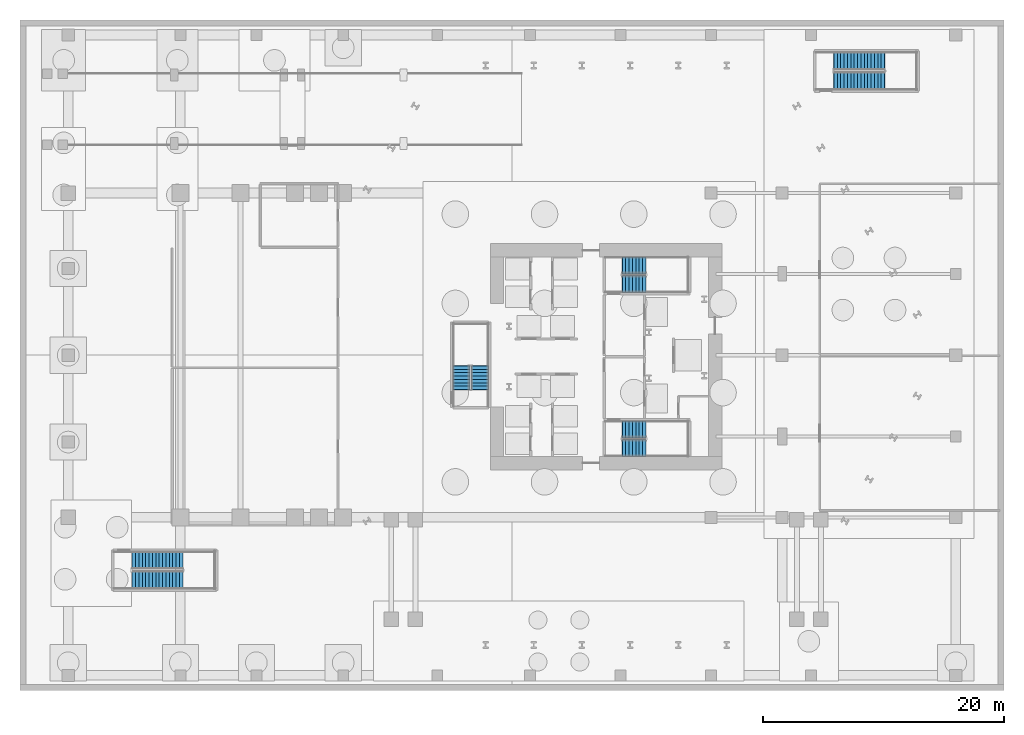
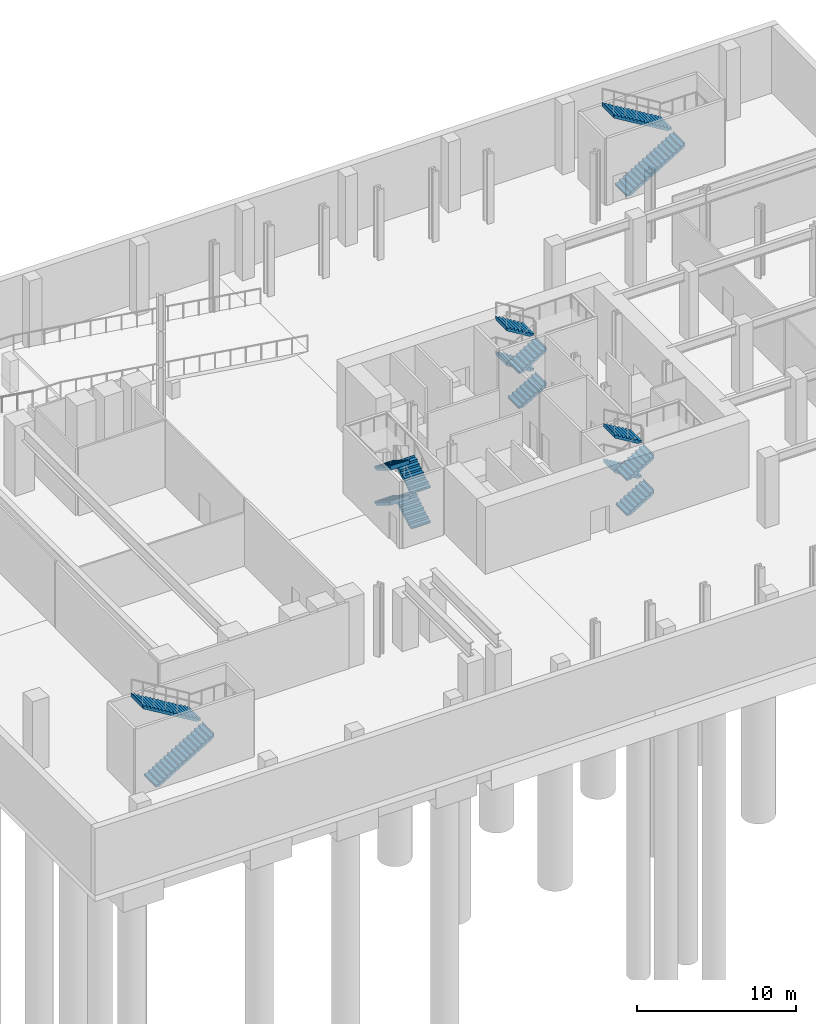
# One storey, part 9 of 16: 16 stair flights, 5 elements without a shape of their own.
"""IFC4 building model written with IfcOpenShell, lengths in metres."""

from ifc_helpers import new_model, si_unit, direction, frame, origin, place, context, subcontext, project, spatial, polyline, outline, extrude, material, type_object, element, aggregate, save


model = new_model("IFC4")

# Units and contexts
model_context = context("Model", 3, precision=1e-05, world=origin(), true_north=direction((0.0, 1.0)))
body_context = subcontext(model_context, "Body", "Model", "MODEL_VIEW")
ifc_project = project(units=[si_unit("LENGTHUNIT", "METRE"), si_unit("AREAUNIT", "SQUARE_METRE"), si_unit("VOLUMEUNIT", "CUBIC_METRE"), si_unit("PLANEANGLEUNIT", "RADIAN"), si_unit("MASSUNIT", "GRAM", prefix="KILO")], contexts=[model_context])

# Site, building, storey
site_placement = place(None, origin())
site = spatial("IfcSite", under=ifc_project, at=site_placement, CompositionType="ELEMENT")
building_placement = place(site_placement, origin())
building = spatial("IfcBuilding", under=site, at=building_placement, Name="Valkerne Bourse Tower", CompositionType="ELEMENT")
storey_placement = place(building_placement, frame((0.0, 0.0, -5.39990234375)))
storey = spatial("IfcBuildingStorey", under=building, at=storey_placement, Name="B1", CompositionType="ELEMENT", Elevation=-5.39990234375)

# Stair, stair flights
ifc_material = material(Name="Concrete C40/50", Category="concrete")
stair_type_1 = type_object("IfcStairType", Name="ST-CORE-1400", PredefinedType="HALF_TURN_STAIR", material=ifc_material)
stair_1_placement = place(storey_placement, origin())
stair_1 = element("IfcStair", 1, at=stair_1_placement, inside=storey, type_object=stair_type_1, Name="B1 ST-1", PredefinedType="HALF_TURN_STAIR")
stair_flight_type_1 = type_object("IfcStairFlightType", Name="STF-CORE-1400", PredefinedType="STRAIGHT", material=ifc_material)
stair_flight_1_placement = place(storey_placement, frame((48.14990234375, 19.300048828125, 0.0), z_axis=(0.0, 0.0, 1.0), x_axis=(1.0, 0.0, 0.0)))
stair_flight_1 = element("IfcStairFlight", 2, at=stair_flight_1_placement, type_object=stair_flight_type_1, Name="ST-1 flight 1", NumberOfRisers=8, NumberOfTreads=7, PredefinedType="STRAIGHT", RiserHeight=0.16875, TreadLength=0.28, context=body_context, shape_type="SweptSolid", body=[
    extrude(outline(polyline([(-0.02001953125, 0.0), (-0.02001953125, 0.044921875), (0.0, 0.044921875), (0.0, 0.168701171875), (0.280029296875, 0.168701171875), (0.280029296875, 0.33740234375), (0.56005859375, 0.33740234375), (0.56005859375, 0.50634765625), (0.840087890625, 0.50634765625), (0.840087890625, 0.675048828125), (1.1201171875, 0.675048828125), (1.1201171875, 0.84375), (1.39990234375, 0.84375), (1.39990234375, 1.012451171875), (1.679931640625, 1.012451171875), (1.679931640625, 1.18115234375), (1.9599609375, 1.18115234375), (1.9599609375, 1.35009765625), (1.97998046875, 1.35009765625), (1.97998046875, 1.22998046875), (1.9599609375, 1.00634765625), (0.29052734375, 0.0), (-0.02001953125, 0.0)])), frame((0.0, 0.699951171875, 0.0), z_axis=(0.0, -1.0, 0.0), x_axis=(1.0, 0.0, 0.0)), (0.0, 0.0, 1.0), 1.39990234375),
])
stair_flight_2_placement = place(storey_placement, frame((50.110107421875, 20.85009765625, 1.349853515625), z_axis=(0.0, 0.0, 1.0), x_axis=(-1.0, 0.0, 0.0)))
stair_flight_2 = element("IfcStairFlight", 3, at=stair_flight_2_placement, type_object=stair_flight_type_1, Name="ST-1 flight 2", NumberOfRisers=8, NumberOfTreads=7, PredefinedType="STRAIGHT", RiserHeight=0.16875, TreadLength=0.28, context=body_context, shape_type="SweptSolid", body=[
    extrude(outline(polyline([(-0.02001953125, 0.0), (-0.02001953125, 0.044921875), (0.0, 0.044921875), (0.0, 0.168701171875), (0.280029296875, 0.168701171875), (0.280029296875, 0.33740234375), (0.56005859375, 0.33740234375), (0.56005859375, 0.50634765625), (0.840087890625, 0.50634765625), (0.840087890625, 0.675048828125), (1.1201171875, 0.675048828125), (1.1201171875, 0.84375), (1.39990234375, 0.84375), (1.39990234375, 1.012451171875), (1.679931640625, 1.012451171875), (1.679931640625, 1.18115234375), (1.9599609375, 1.18115234375), (1.9599609375, 1.35009765625), (1.97998046875, 1.35009765625), (1.97998046875, 1.22998046875), (1.9599609375, 1.00634765625), (0.29052734375, 0.0), (-0.02001953125, 0.0)])), frame((0.0, 0.699951171875, 0.0), z_axis=(0.0, -1.0, 0.0), x_axis=(1.0, 0.0, 0.0)), (0.0, 0.0, 1.0), 1.39990234375),
])
stair_flight_3_placement = place(storey_placement, frame((48.14990234375, 19.300048828125, 2.699951171875), z_axis=(0.0, 0.0, 1.0), x_axis=(1.0, 0.0, 0.0)))
stair_flight_3 = element("IfcStairFlight", 4, at=stair_flight_3_placement, type_object=stair_flight_type_1, Name="ST-1 flight 3", NumberOfRisers=8, NumberOfTreads=7, PredefinedType="STRAIGHT", RiserHeight=0.16875, TreadLength=0.28, context=body_context, shape_type="SweptSolid", body=[
    extrude(outline(polyline([(-0.02001953125, 0.0), (-0.02001953125, 0.044921875), (0.0, 0.044921875), (0.0, 0.168701171875), (0.280029296875, 0.168701171875), (0.280029296875, 0.33740234375), (0.56005859375, 0.33740234375), (0.56005859375, 0.50634765625), (0.840087890625, 0.50634765625), (0.840087890625, 0.675048828125), (1.1201171875, 0.675048828125), (1.1201171875, 0.84375), (1.39990234375, 0.84375), (1.39990234375, 1.012451171875), (1.679931640625, 1.012451171875), (1.679931640625, 1.18115234375), (1.9599609375, 1.18115234375), (1.9599609375, 1.35009765625), (1.97998046875, 1.35009765625), (1.97998046875, 1.22998046875), (1.9599609375, 1.00634765625), (0.29052734375, 0.0), (-0.02001953125, 0.0)])), frame((0.0, 0.699951171875, 0.0), z_axis=(0.0, -1.0, 0.0), x_axis=(1.0, 0.0, 0.0)), (0.0, 0.0, 1.0), 1.39990234375),
])
stair_flight_4_placement = place(storey_placement, frame((50.110107421875, 20.85009765625, 4.0498046875), z_axis=(0.0, 0.0, 1.0), x_axis=(-1.0, 0.0, 0.0)))
stair_flight_4 = element("IfcStairFlight", 5, at=stair_flight_4_placement, type_object=stair_flight_type_1, Name="ST-1 flight 4", NumberOfRisers=8, NumberOfTreads=7, PredefinedType="STRAIGHT", RiserHeight=0.16875, TreadLength=0.28, context=body_context, shape_type="SweptSolid", body=[
    extrude(outline(polyline([(-0.02001953125, 0.0), (-0.02001953125, 0.044921875), (0.0, 0.044921875), (0.0, 0.168701171875), (0.280029296875, 0.168701171875), (0.280029296875, 0.33740234375), (0.56005859375, 0.33740234375), (0.56005859375, 0.50634765625), (0.840087890625, 0.50634765625), (0.840087890625, 0.675048828125), (1.1201171875, 0.675048828125), (1.1201171875, 0.84375), (1.39990234375, 0.84375), (1.39990234375, 1.012451171875), (1.679931640625, 1.012451171875), (1.679931640625, 1.18115234375), (1.9599609375, 1.18115234375), (1.9599609375, 1.35009765625), (1.97998046875, 1.35009765625), (1.97998046875, 1.22998046875), (1.9599609375, 1.00634765625), (0.29052734375, 0.0), (-0.02001953125, 0.0)])), frame((0.0, 0.699951171875, 0.0), z_axis=(0.0, -1.0, 0.0), x_axis=(1.0, 0.0, 0.0)), (0.0, 0.0, 1.0), 1.39990234375),
])
aggregate(stair_1, [stair_flight_1, stair_flight_2, stair_flight_3, stair_flight_4])

stair_2_placement = place(storey_placement, origin())
stair_2 = element("IfcStair", 6, at=stair_2_placement, inside=storey, type_object=stair_type_1, Name="B1 ST-2", PredefinedType="HALF_TURN_STAIR")
stair_flight_5_placement = place(storey_placement, frame((48.14990234375, 32.89990234375, 0.0), z_axis=(0.0, 0.0, 1.0), x_axis=(1.0, 0.0, 0.0)))
stair_flight_5 = element("IfcStairFlight", 7, at=stair_flight_5_placement, type_object=stair_flight_type_1, Name="ST-2 flight 1", NumberOfRisers=8, NumberOfTreads=7, PredefinedType="STRAIGHT", RiserHeight=0.16875, TreadLength=0.28, context=body_context, shape_type="SweptSolid", body=[
    extrude(outline(polyline([(-0.02001953125, 0.0), (-0.02001953125, 0.044921875), (0.0, 0.044921875), (0.0, 0.168701171875), (0.280029296875, 0.168701171875), (0.280029296875, 0.33740234375), (0.56005859375, 0.33740234375), (0.56005859375, 0.50634765625), (0.840087890625, 0.50634765625), (0.840087890625, 0.675048828125), (1.1201171875, 0.675048828125), (1.1201171875, 0.84375), (1.39990234375, 0.84375), (1.39990234375, 1.012451171875), (1.679931640625, 1.012451171875), (1.679931640625, 1.18115234375), (1.9599609375, 1.18115234375), (1.9599609375, 1.35009765625), (1.97998046875, 1.35009765625), (1.97998046875, 1.22998046875), (1.9599609375, 1.00634765625), (0.29052734375, 0.0), (-0.02001953125, 0.0)])), frame((0.0, 0.699951171875, 0.0), z_axis=(0.0, -1.0, 0.0), x_axis=(1.0, 0.0, 0.0)), (0.0, 0.0, 1.0), 1.39990234375),
])
stair_flight_6_placement = place(storey_placement, frame((50.110107421875, 34.449951171875, 1.349853515625), z_axis=(0.0, 0.0, 1.0), x_axis=(-1.0, 0.0, 0.0)))
stair_flight_6 = element("IfcStairFlight", 8, at=stair_flight_6_placement, type_object=stair_flight_type_1, Name="ST-2 flight 2", NumberOfRisers=8, NumberOfTreads=7, PredefinedType="STRAIGHT", RiserHeight=0.16875, TreadLength=0.28, context=body_context, shape_type="SweptSolid", body=[
    extrude(outline(polyline([(-0.02001953125, 0.0), (-0.02001953125, 0.044921875), (0.0, 0.044921875), (0.0, 0.168701171875), (0.280029296875, 0.168701171875), (0.280029296875, 0.33740234375), (0.56005859375, 0.33740234375), (0.56005859375, 0.50634765625), (0.840087890625, 0.50634765625), (0.840087890625, 0.675048828125), (1.1201171875, 0.675048828125), (1.1201171875, 0.84375), (1.39990234375, 0.84375), (1.39990234375, 1.012451171875), (1.679931640625, 1.012451171875), (1.679931640625, 1.18115234375), (1.9599609375, 1.18115234375), (1.9599609375, 1.35009765625), (1.97998046875, 1.35009765625), (1.97998046875, 1.22998046875), (1.9599609375, 1.00634765625), (0.29052734375, 0.0), (-0.02001953125, 0.0)])), frame((0.0, 0.699951171875, 0.0), z_axis=(0.0, -1.0, 0.0), x_axis=(1.0, 0.0, 0.0)), (0.0, 0.0, 1.0), 1.39990234375),
])
stair_flight_7_placement = place(storey_placement, frame((48.14990234375, 32.89990234375, 2.699951171875), z_axis=(0.0, 0.0, 1.0), x_axis=(1.0, 0.0, 0.0)))
stair_flight_7 = element("IfcStairFlight", 9, at=stair_flight_7_placement, type_object=stair_flight_type_1, Name="ST-2 flight 3", NumberOfRisers=8, NumberOfTreads=7, PredefinedType="STRAIGHT", RiserHeight=0.16875, TreadLength=0.28, context=body_context, shape_type="SweptSolid", body=[
    extrude(outline(polyline([(-0.02001953125, 0.0), (-0.02001953125, 0.044921875), (0.0, 0.044921875), (0.0, 0.168701171875), (0.280029296875, 0.168701171875), (0.280029296875, 0.33740234375), (0.56005859375, 0.33740234375), (0.56005859375, 0.50634765625), (0.840087890625, 0.50634765625), (0.840087890625, 0.675048828125), (1.1201171875, 0.675048828125), (1.1201171875, 0.84375), (1.39990234375, 0.84375), (1.39990234375, 1.012451171875), (1.679931640625, 1.012451171875), (1.679931640625, 1.18115234375), (1.9599609375, 1.18115234375), (1.9599609375, 1.35009765625), (1.97998046875, 1.35009765625), (1.97998046875, 1.22998046875), (1.9599609375, 1.00634765625), (0.29052734375, 0.0), (-0.02001953125, 0.0)])), frame((0.0, 0.699951171875, 0.0), z_axis=(0.0, -1.0, 0.0), x_axis=(1.0, 0.0, 0.0)), (0.0, 0.0, 1.0), 1.39990234375),
])
stair_flight_8_placement = place(storey_placement, frame((50.110107421875, 34.449951171875, 4.0498046875), z_axis=(0.0, 0.0, 1.0), x_axis=(-1.0, 0.0, 0.0)))
stair_flight_8 = element("IfcStairFlight", 10, at=stair_flight_8_placement, type_object=stair_flight_type_1, Name="ST-2 flight 4", NumberOfRisers=8, NumberOfTreads=7, PredefinedType="STRAIGHT", RiserHeight=0.16875, TreadLength=0.28, context=body_context, shape_type="SweptSolid", body=[
    extrude(outline(polyline([(-0.02001953125, 0.0), (-0.02001953125, 0.044921875), (0.0, 0.044921875), (0.0, 0.168701171875), (0.280029296875, 0.168701171875), (0.280029296875, 0.33740234375), (0.56005859375, 0.33740234375), (0.56005859375, 0.50634765625), (0.840087890625, 0.50634765625), (0.840087890625, 0.675048828125), (1.1201171875, 0.675048828125), (1.1201171875, 0.84375), (1.39990234375, 0.84375), (1.39990234375, 1.012451171875), (1.679931640625, 1.012451171875), (1.679931640625, 1.18115234375), (1.9599609375, 1.18115234375), (1.9599609375, 1.35009765625), (1.97998046875, 1.35009765625), (1.97998046875, 1.22998046875), (1.9599609375, 1.00634765625), (0.29052734375, 0.0), (-0.02001953125, 0.0)])), frame((0.0, 0.699951171875, 0.0), z_axis=(0.0, -1.0, 0.0), x_axis=(1.0, 0.0, 0.0)), (0.0, 0.0, 1.0), 1.39990234375),
])
aggregate(stair_2, [stair_flight_5, stair_flight_6, stair_flight_7, stair_flight_8])

stair_3_placement = place(storey_placement, origin())
stair_3 = element("IfcStair", 11, at=stair_3_placement, inside=storey, type_object=stair_type_1, Name="B1 ST-3", PredefinedType="HALF_TURN_STAIR")
stair_flight_9_placement = place(storey_placement, frame((36.35009765625, 24.14990234375, 0.0), z_axis=(0.0, 0.0, 1.0), x_axis=(0.0, 1.0, 0.0)))
stair_flight_9 = element("IfcStairFlight", 12, at=stair_flight_9_placement, type_object=stair_flight_type_1, Name="ST-3 flight 1", NumberOfRisers=8, NumberOfTreads=7, PredefinedType="STRAIGHT", RiserHeight=0.16875, TreadLength=0.28, context=body_context, shape_type="SweptSolid", body=[
    extrude(outline(polyline([(-0.02001953125, 0.0), (-0.02001953125, 0.044921875), (0.0, 0.044921875), (0.0, 0.168701171875), (0.280029296875, 0.168701171875), (0.280029296875, 0.33740234375), (0.56005859375, 0.33740234375), (0.56005859375, 0.50634765625), (0.840087890625, 0.50634765625), (0.840087890625, 0.675048828125), (1.1201171875, 0.675048828125), (1.1201171875, 0.84375), (1.39990234375, 0.84375), (1.39990234375, 1.012451171875), (1.679931640625, 1.012451171875), (1.679931640625, 1.18115234375), (1.9599609375, 1.18115234375), (1.9599609375, 1.35009765625), (1.97998046875, 1.35009765625), (1.97998046875, 1.22998046875), (1.9599609375, 1.00634765625), (0.29052734375, 0.0), (-0.02001953125, 0.0)])), frame((0.0, 0.699951171875, 0.0), z_axis=(0.0, -1.0, 0.0), x_axis=(1.0, 0.0, 0.0)), (0.0, 0.0, 1.0), 1.39990234375),
])
stair_flight_10_placement = place(storey_placement, frame((34.800048828125, 26.110107421875, 1.349853515625), z_axis=(0.0, 0.0, 1.0), x_axis=(0.0, -1.0, 0.0)))
stair_flight_10 = element("IfcStairFlight", 13, at=stair_flight_10_placement, type_object=stair_flight_type_1, Name="ST-3 flight 2", NumberOfRisers=8, NumberOfTreads=7, PredefinedType="STRAIGHT", RiserHeight=0.16875, TreadLength=0.28, context=body_context, shape_type="SweptSolid", body=[
    extrude(outline(polyline([(-0.02001953125, 0.0), (-0.02001953125, 0.044921875), (0.0, 0.044921875), (0.0, 0.168701171875), (0.280029296875, 0.168701171875), (0.280029296875, 0.33740234375), (0.56005859375, 0.33740234375), (0.56005859375, 0.50634765625), (0.840087890625, 0.50634765625), (0.840087890625, 0.675048828125), (1.1201171875, 0.675048828125), (1.1201171875, 0.84375), (1.39990234375, 0.84375), (1.39990234375, 1.012451171875), (1.679931640625, 1.012451171875), (1.679931640625, 1.18115234375), (1.9599609375, 1.18115234375), (1.9599609375, 1.35009765625), (1.97998046875, 1.35009765625), (1.97998046875, 1.22998046875), (1.9599609375, 1.00634765625), (0.29052734375, 0.0), (-0.02001953125, 0.0)])), frame((0.0, 0.699951171875, 0.0), z_axis=(0.0, -1.0, 0.0), x_axis=(1.0, 0.0, 0.0)), (0.0, 0.0, 1.0), 1.39990234375),
])
stair_flight_11_placement = place(storey_placement, frame((36.35009765625, 24.14990234375, 2.699951171875), z_axis=(0.0, 0.0, 1.0), x_axis=(0.0, 1.0, 0.0)))
stair_flight_11 = element("IfcStairFlight", 14, at=stair_flight_11_placement, type_object=stair_flight_type_1, Name="ST-3 flight 3", NumberOfRisers=8, NumberOfTreads=7, PredefinedType="STRAIGHT", RiserHeight=0.16875, TreadLength=0.28, context=body_context, shape_type="SweptSolid", body=[
    extrude(outline(polyline([(-0.02001953125, 0.0), (-0.02001953125, 0.044921875), (0.0, 0.044921875), (0.0, 0.168701171875), (0.280029296875, 0.168701171875), (0.280029296875, 0.33740234375), (0.56005859375, 0.33740234375), (0.56005859375, 0.50634765625), (0.840087890625, 0.50634765625), (0.840087890625, 0.675048828125), (1.1201171875, 0.675048828125), (1.1201171875, 0.84375), (1.39990234375, 0.84375), (1.39990234375, 1.012451171875), (1.679931640625, 1.012451171875), (1.679931640625, 1.18115234375), (1.9599609375, 1.18115234375), (1.9599609375, 1.35009765625), (1.97998046875, 1.35009765625), (1.97998046875, 1.22998046875), (1.9599609375, 1.00634765625), (0.29052734375, 0.0), (-0.02001953125, 0.0)])), frame((0.0, 0.699951171875, 0.0), z_axis=(0.0, -1.0, 0.0), x_axis=(1.0, 0.0, 0.0)), (0.0, 0.0, 1.0), 1.39990234375),
])
stair_flight_12_placement = place(storey_placement, frame((34.800048828125, 26.110107421875, 4.0498046875), z_axis=(0.0, 0.0, 1.0), x_axis=(0.0, -1.0, 0.0)))
stair_flight_12 = element("IfcStairFlight", 15, at=stair_flight_12_placement, type_object=stair_flight_type_1, Name="ST-3 flight 4", NumberOfRisers=8, NumberOfTreads=7, PredefinedType="STRAIGHT", RiserHeight=0.16875, TreadLength=0.28, context=body_context, shape_type="SweptSolid", body=[
    extrude(outline(polyline([(-0.02001953125, 0.0), (-0.02001953125, 0.044921875), (0.0, 0.044921875), (0.0, 0.168701171875), (0.280029296875, 0.168701171875), (0.280029296875, 0.33740234375), (0.56005859375, 0.33740234375), (0.56005859375, 0.50634765625), (0.840087890625, 0.50634765625), (0.840087890625, 0.675048828125), (1.1201171875, 0.675048828125), (1.1201171875, 0.84375), (1.39990234375, 0.84375), (1.39990234375, 1.012451171875), (1.679931640625, 1.012451171875), (1.679931640625, 1.18115234375), (1.9599609375, 1.18115234375), (1.9599609375, 1.35009765625), (1.97998046875, 1.35009765625), (1.97998046875, 1.22998046875), (1.9599609375, 1.00634765625), (0.29052734375, 0.0), (-0.02001953125, 0.0)])), frame((0.0, 0.699951171875, 0.0), z_axis=(0.0, -1.0, 0.0), x_axis=(1.0, 0.0, 0.0)), (0.0, 0.0, 1.0), 1.39990234375),
])
aggregate(stair_3, [stair_flight_9, stair_flight_10, stair_flight_11, stair_flight_12])

stair_type_2 = type_object("IfcStairType", Name="ST-POD-1500", PredefinedType="HALF_TURN_STAIR", material=ifc_material)
stair_4_placement = place(storey_placement, origin())
stair_4 = element("IfcStair", 16, at=stair_4_placement, inside=storey, type_object=stair_type_2, Name="B1 ST-P1", PredefinedType="HALF_TURN_STAIR")
stair_flight_type_2 = type_object("IfcStairFlightType", Name="STF-POD-1500", PredefinedType="STRAIGHT", material=ifc_material)
stair_flight_13_placement = place(storey_placement, frame((7.5, 8.35009765625, 0.0), z_axis=(0.0, 0.0, 1.0), x_axis=(1.0, 0.0, 0.0)))
stair_flight_13 = element("IfcStairFlight", 17, at=stair_flight_13_placement, type_object=stair_flight_type_2, Name="ST-P1 flight 1", NumberOfRisers=16, NumberOfTreads=15, PredefinedType="STRAIGHT", RiserHeight=0.16875, TreadLength=0.28, context=body_context, shape_type="SweptSolid", body=[
    extrude(outline(polyline([(-0.02001953125, 0.0), (-0.02001953125, 0.044921875), (0.0, 0.044921875), (0.0, 0.168701171875), (0.280029296875, 0.168701171875), (0.280029296875, 0.33740234375), (0.56005859375, 0.33740234375), (0.56005859375, 0.50634765625), (0.840087890625, 0.50634765625), (0.840087890625, 0.675048828125), (1.1201171875, 0.675048828125), (1.1201171875, 0.84375), (1.39990234375, 0.84375), (1.39990234375, 1.012451171875), (1.679931640625, 1.012451171875), (1.679931640625, 1.18115234375), (1.9599609375, 1.18115234375), (1.9599609375, 1.35009765625), (2.239990234375, 1.35009765625), (2.239990234375, 1.518798828125), (2.52001953125, 1.518798828125), (2.52001953125, 1.6875), (2.800048828125, 1.6875), (2.800048828125, 1.856201171875), (3.080078125, 1.856201171875), (3.080078125, 2.02490234375), (3.360107421875, 2.02490234375), (3.360107421875, 2.19384765625), (3.639892578125, 2.19384765625), (3.639892578125, 2.362548828125), (3.919921875, 2.362548828125), (3.919921875, 2.53125), (4.199951171875, 2.53125), (4.199951171875, 2.699951171875), (4.219970703125, 2.699951171875), (4.219970703125, 2.580078125), (4.199951171875, 2.356201171875), (0.29052734375, 0.0), (-0.02001953125, 0.0)])), frame((0.0, 0.75, 0.0), z_axis=(0.0, -1.0, 0.0), x_axis=(1.0, 0.0, 0.0)), (0.0, 0.0, 1.0), 1.5),
])
stair_flight_14_placement = place(storey_placement, frame((11.699951171875, 10.0, 2.699951171875), z_axis=(0.0, 0.0, 1.0), x_axis=(-1.0, 0.0, 0.0)))
stair_flight_14 = element("IfcStairFlight", 18, at=stair_flight_14_placement, type_object=stair_flight_type_2, Name="ST-P1 flight 2", NumberOfRisers=16, NumberOfTreads=15, PredefinedType="STRAIGHT", RiserHeight=0.16875, TreadLength=0.28, context=body_context, shape_type="SweptSolid", body=[
    extrude(outline(polyline([(-0.02001953125, 0.0), (-0.02001953125, 0.044921875), (0.0, 0.044921875), (0.0, 0.168701171875), (0.280029296875, 0.168701171875), (0.280029296875, 0.33740234375), (0.56005859375, 0.33740234375), (0.56005859375, 0.50634765625), (0.840087890625, 0.50634765625), (0.840087890625, 0.675048828125), (1.1201171875, 0.675048828125), (1.1201171875, 0.84375), (1.39990234375, 0.84375), (1.39990234375, 1.012451171875), (1.679931640625, 1.012451171875), (1.679931640625, 1.18115234375), (1.9599609375, 1.18115234375), (1.9599609375, 1.35009765625), (2.239990234375, 1.35009765625), (2.239990234375, 1.518798828125), (2.52001953125, 1.518798828125), (2.52001953125, 1.6875), (2.800048828125, 1.6875), (2.800048828125, 1.856201171875), (3.080078125, 1.856201171875), (3.080078125, 2.02490234375), (3.360107421875, 2.02490234375), (3.360107421875, 2.19384765625), (3.639892578125, 2.19384765625), (3.639892578125, 2.362548828125), (3.919921875, 2.362548828125), (3.919921875, 2.53125), (4.199951171875, 2.53125), (4.199951171875, 2.699951171875), (4.219970703125, 2.699951171875), (4.219970703125, 2.580078125), (4.199951171875, 2.356201171875), (0.29052734375, 0.0), (-0.02001953125, 0.0)])), frame((0.0, 0.75, 0.0), z_axis=(0.0, -1.0, 0.0), x_axis=(1.0, 0.0, 0.0)), (0.0, 0.0, 1.0), 1.5),
])
aggregate(stair_4, [stair_flight_13, stair_flight_14])

stair_5_placement = place(storey_placement, origin())
stair_5 = element("IfcStair", 19, at=stair_5_placement, inside=storey, type_object=stair_type_2, Name="B1 ST-P2", PredefinedType="HALF_TURN_STAIR")
stair_flight_15_placement = place(storey_placement, frame((65.699951171875, 49.75, 0.0), z_axis=(0.0, 0.0, 1.0), x_axis=(1.0, 0.0, 0.0)))
stair_flight_15 = element("IfcStairFlight", 20, at=stair_flight_15_placement, type_object=stair_flight_type_2, Name="ST-P2 flight 1", NumberOfRisers=16, NumberOfTreads=15, PredefinedType="STRAIGHT", RiserHeight=0.16875, TreadLength=0.28, context=body_context, shape_type="SweptSolid", body=[
    extrude(outline(polyline([(-0.02001953125, 0.0), (-0.02001953125, 0.044921875), (0.0, 0.044921875), (0.0, 0.168701171875), (0.280029296875, 0.168701171875), (0.280029296875, 0.33740234375), (0.56005859375, 0.33740234375), (0.56005859375, 0.50634765625), (0.840087890625, 0.50634765625), (0.840087890625, 0.675048828125), (1.1201171875, 0.675048828125), (1.1201171875, 0.84375), (1.39990234375, 0.84375), (1.39990234375, 1.012451171875), (1.679931640625, 1.012451171875), (1.679931640625, 1.18115234375), (1.9599609375, 1.18115234375), (1.9599609375, 1.35009765625), (2.239990234375, 1.35009765625), (2.239990234375, 1.518798828125), (2.52001953125, 1.518798828125), (2.52001953125, 1.6875), (2.800048828125, 1.6875), (2.800048828125, 1.856201171875), (3.080078125, 1.856201171875), (3.080078125, 2.02490234375), (3.360107421875, 2.02490234375), (3.360107421875, 2.19384765625), (3.639892578125, 2.19384765625), (3.639892578125, 2.362548828125), (3.919921875, 2.362548828125), (3.919921875, 2.53125), (4.199951171875, 2.53125), (4.199951171875, 2.699951171875), (4.219970703125, 2.699951171875), (4.219970703125, 2.580078125), (4.199951171875, 2.356201171875), (0.29052734375, 0.0), (-0.02001953125, 0.0)])), frame((0.0, 0.75, 0.0), z_axis=(0.0, -1.0, 0.0), x_axis=(1.0, 0.0, 0.0)), (0.0, 0.0, 1.0), 1.5),
])
stair_flight_16_placement = place(storey_placement, frame((69.89990234375, 51.39990234375, 2.699951171875), z_axis=(0.0, 0.0, 1.0), x_axis=(-1.0, 0.0, 0.0)))
stair_flight_16 = element("IfcStairFlight", 21, at=stair_flight_16_placement, type_object=stair_flight_type_2, Name="ST-P2 flight 2", NumberOfRisers=16, NumberOfTreads=15, PredefinedType="STRAIGHT", RiserHeight=0.16875, TreadLength=0.28, context=body_context, shape_type="SweptSolid", body=[
    extrude(outline(polyline([(-0.02001953125, 0.0), (-0.02001953125, 0.044921875), (0.0, 0.044921875), (0.0, 0.168701171875), (0.280029296875, 0.168701171875), (0.280029296875, 0.33740234375), (0.56005859375, 0.33740234375), (0.56005859375, 0.50634765625), (0.840087890625, 0.50634765625), (0.840087890625, 0.675048828125), (1.1201171875, 0.675048828125), (1.1201171875, 0.84375), (1.39990234375, 0.84375), (1.39990234375, 1.012451171875), (1.679931640625, 1.012451171875), (1.679931640625, 1.18115234375), (1.9599609375, 1.18115234375), (1.9599609375, 1.35009765625), (2.239990234375, 1.35009765625), (2.239990234375, 1.518798828125), (2.52001953125, 1.518798828125), (2.52001953125, 1.6875), (2.800048828125, 1.6875), (2.800048828125, 1.856201171875), (3.080078125, 1.856201171875), (3.080078125, 2.02490234375), (3.360107421875, 2.02490234375), (3.360107421875, 2.19384765625), (3.639892578125, 2.19384765625), (3.639892578125, 2.362548828125), (3.919921875, 2.362548828125), (3.919921875, 2.53125), (4.199951171875, 2.53125), (4.199951171875, 2.699951171875), (4.219970703125, 2.699951171875), (4.219970703125, 2.580078125), (4.199951171875, 2.356201171875), (0.29052734375, 0.0), (-0.02001953125, 0.0)])), frame((0.0, 0.75, 0.0), z_axis=(0.0, -1.0, 0.0), x_axis=(1.0, 0.0, 0.0)), (0.0, 0.0, 1.0), 1.5),
])
aggregate(stair_5, [stair_flight_15, stair_flight_16])

save(model, "model.ifc")
